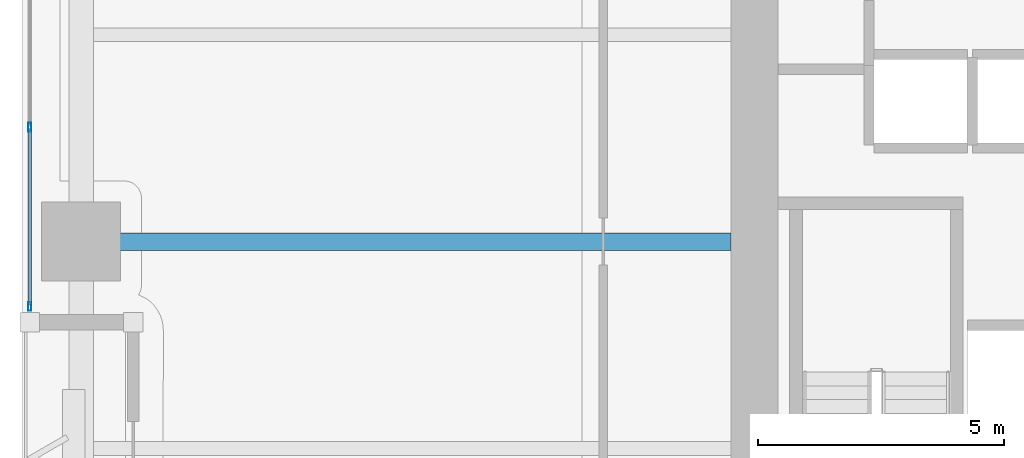
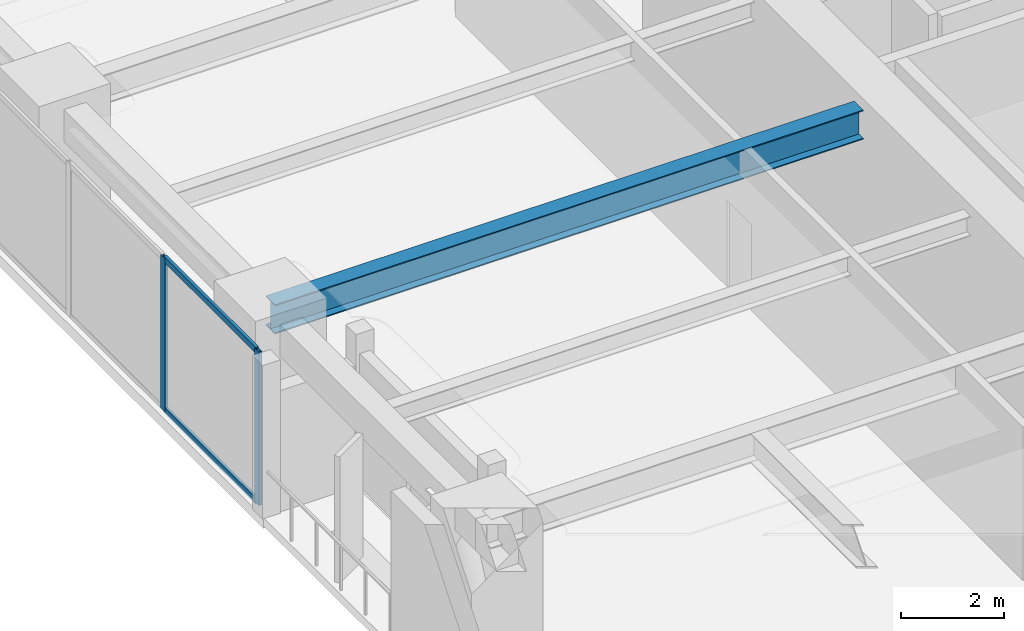
# One storey, part 2 of 29: 4 members, 1 beam, 1 element without a shape of its own.
"""IFC4 building model written with IfcOpenShell, lengths in metres."""

from ifc_helpers import new_model, si_unit, direction, frame, origin, origin_2d, place, context, subcontext, project, spatial, hollow_rectangle, i_section, extrude, material, layer, layer_set, material_profile, profile_set, type_object, element, aggregate, save


model = new_model("IFC4")

# Units and contexts
model_context = context("Model", 3, precision=1e-05, world=origin(), true_north=direction((0.0, 1.0)))
body_context = subcontext(model_context, "Body", "Model", "MODEL_VIEW")
ifc_project = project(units=[si_unit("LENGTHUNIT", "METRE"), si_unit("AREAUNIT", "SQUARE_METRE"), si_unit("VOLUMEUNIT", "CUBIC_METRE"), si_unit("PLANEANGLEUNIT", "RADIAN"), si_unit("MASSUNIT", "GRAM", prefix="KILO")], contexts=[model_context])

# Site, building, storey
site_placement = place(None, origin())
site = spatial("IfcSite", under=ifc_project, at=site_placement, CompositionType="ELEMENT")
building_placement = place(site_placement, origin())
building = spatial("IfcBuilding", under=site, at=building_placement, Name="Kiyonajd Concourse Tower", CompositionType="ELEMENT")
storey_placement = place(building_placement, frame((0.0, 0.0, 52.800048828125)))
storey = spatial("IfcBuildingStorey", under=building, at=storey_placement, Name="L14", CompositionType="ELEMENT", Elevation=52.800048828125)

# Beam
ifc_material_1 = material(Name="Steel ASTM A992 Grade 50", Category="steel")
ifc_material_profile_1 = material_profile(ifc_material_1, i_section(OverallWidth=0.35498046875, OverallDepth=0.695068359375, WebThickness=0.015380859375, FlangeThickness=0.02490234375, at=origin_2d()), Name="W690X217")
ifc_profile_set_1 = profile_set([ifc_material_profile_1], Name="Steel ASTM A992 Grade 50")
beam_type = type_object("IfcBeamType", Name="BM-TWR-690", PredefinedType="BEAM", material=ifc_profile_set_1)
beam_placement = place(storey_placement, frame((19.199951171875, 36.0, 3.29248046875), z_axis=(1.0, 0.0, 0.0), x_axis=(0.0, 1.0, 0.0)))
element("IfcBeam", 1, at=beam_placement, inside=storey, type_object=beam_type, Name="L14 West Lease Girder", PredefinedType="BEAM", context=body_context, shape_type="SweptSolid", body=[
    extrude(i_section(OverallWidth=0.35498046875, OverallDepth=0.695068359375, WebThickness=0.015380859375, FlangeThickness=0.02490234375, at=origin_2d()), origin(), (0.0, 0.0, 1.0), 13.199951171875),
])

# Curtain wall, members
ifc_material_2 = material(Name="Thermally Broken Anodised Aluminium", Category="aluminium")
ifc_layer = layer(ifc_material_2, 0.179931640625)
ifc_layer_set = layer_set([ifc_layer], Name="Thermally Broken Anodised Aluminium")
curtain_wall_type = type_object("IfcCurtainWallType", Name="CW-SYS-02", PredefinedType="NOTDEFINED", material=ifc_layer_set)
curtain_wall_placement = place(storey_placement, origin())
curtain_wall = element("IfcCurtainWall", 2, at=curtain_wall_placement, inside=storey, type_object=curtain_wall_type, Name="L14 Unitised Curtain Wall CW2", PredefinedType="NOTDEFINED")
ifc_material_profile_2 = material_profile(ifc_material_2, hollow_rectangle(XDim=0.06494140625, YDim=0.179931640625, WallThickness=0.00390625, at=origin_2d()), Name="MULL-65x180")
ifc_profile_set_2 = profile_set([ifc_material_profile_2], Name="Thermally Broken Anodised Aluminium")
member_type_1 = type_object("IfcMemberType", Name="MB-CW-MULL1", PredefinedType="MULLION", material=ifc_profile_set_2)
member_1_placement = place(storey_placement, frame((18.159912109375, 34.6826171875, 0.0), z_axis=(0.0, 0.0, 1.0), x_axis=(-1.0, 0.0, 0.0)))
member_1 = element("IfcMember", 3, at=member_1_placement, type_object=member_type_1, Name="CW2 mullion 1", PredefinedType="MULLION", context=body_context, shape_type="SweptSolid", body=[
    extrude(hollow_rectangle(XDim=0.06494140625, YDim=0.179931640625, WallThickness=0.00390625, at=origin_2d()), origin(), (0.0, 0.0, 1.0), 3.639892578125),
])
member_2_placement = place(storey_placement, frame((18.159912109375, 38.3232421875, 0.0), z_axis=(0.0, 0.0, 1.0), x_axis=(-1.0, 0.0, 0.0)))
member_2 = element("IfcMember", 4, at=member_2_placement, type_object=member_type_1, Name="CW2 mullion 2", PredefinedType="MULLION", context=body_context, shape_type="SweptSolid", body=[
    extrude(hollow_rectangle(XDim=0.06494140625, YDim=0.179931640625, WallThickness=0.00390625, at=origin_2d()), origin(), (0.0, 0.0, 1.0), 3.639892578125),
])
ifc_material_profile_3 = material_profile(ifc_material_2, hollow_rectangle(XDim=0.06494140625, YDim=0.139892578125, WallThickness=0.00390625, at=origin_2d()), Name="TRAN-65x140")
ifc_profile_set_3 = profile_set([ifc_material_profile_3], Name="Thermally Broken Anodised Aluminium")
member_type_2 = type_object("IfcMemberType", Name="MB-CW-TRAN1", PredefinedType="USERDEFINED", material=ifc_profile_set_3)
member_3_placement = place(storey_placement, frame((18.159912109375, 34.715087890625, 0.032470703125), z_axis=(0.0, 1.0, 0.0), x_axis=(-1.0, 0.0, 0.0)))
member_3 = element("IfcMember", 5, at=member_3_placement, type_object=member_type_2, Name="CW2 transom 1.1", ObjectType="TRANSOM", PredefinedType="USERDEFINED", context=body_context, shape_type="SweptSolid", body=[
    extrude(hollow_rectangle(XDim=0.06494140625, YDim=0.139892578125, WallThickness=0.00390625, at=origin_2d()), origin(), (0.0, 0.0, 1.0), 3.57568359375),
])
member_4_placement = place(storey_placement, frame((18.159912109375, 34.715087890625, 3.607421875), z_axis=(0.0, 1.0, 0.0), x_axis=(-1.0, 0.0, 0.0)))
member_4 = element("IfcMember", 6, at=member_4_placement, type_object=member_type_2, Name="CW2 transom 1.2", ObjectType="TRANSOM", PredefinedType="USERDEFINED", context=body_context, shape_type="SweptSolid", body=[
    extrude(hollow_rectangle(XDim=0.06494140625, YDim=0.139892578125, WallThickness=0.00390625, at=origin_2d()), origin(), (0.0, 0.0, 1.0), 3.57568359375),
])
aggregate(curtain_wall, [member_1, member_2, member_3, member_4])

save(model, "model.ifc")
